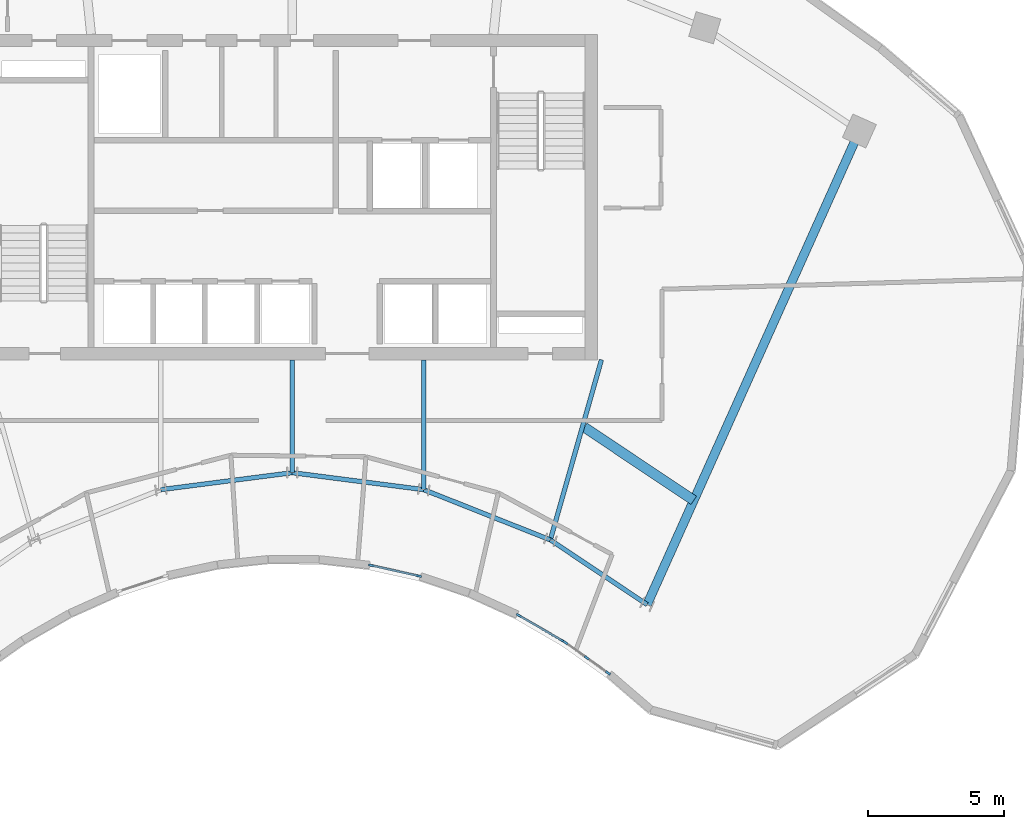
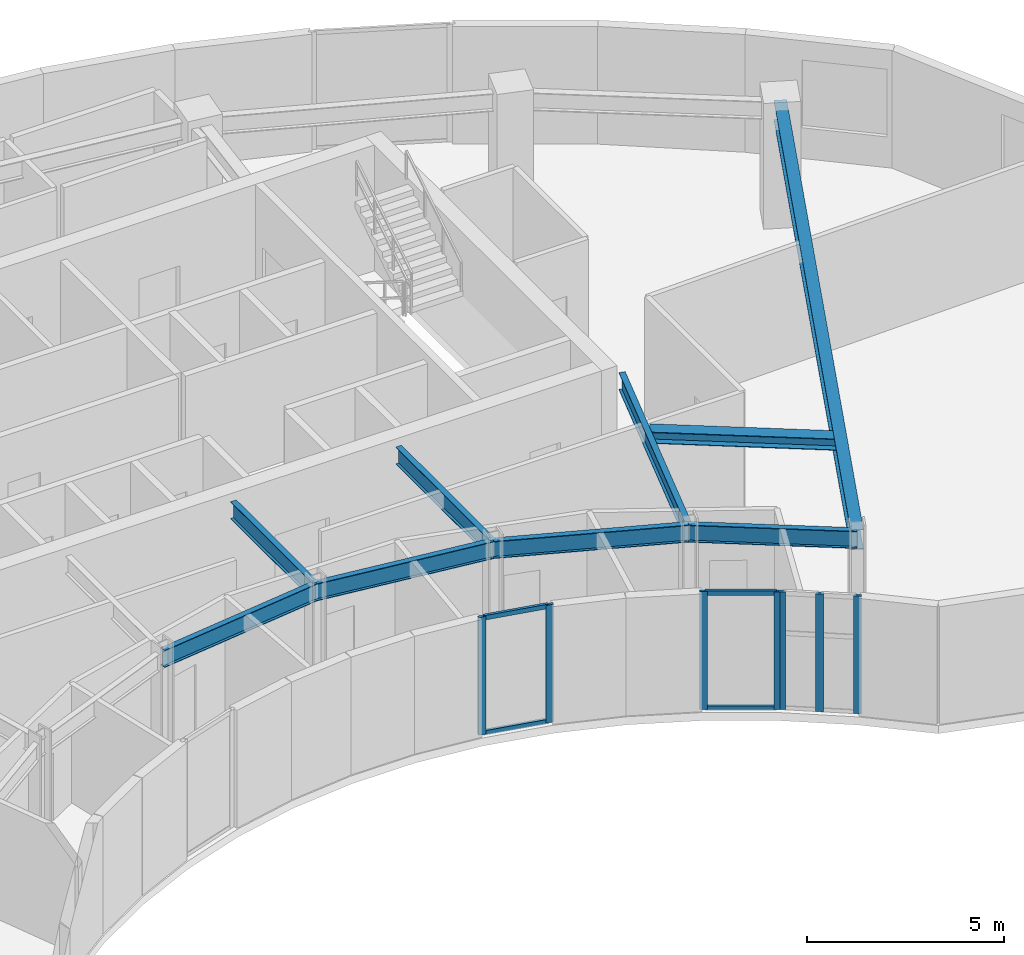
# One storey, part 3 of 12: 11 members, 9 beams, 3 elements without a shape of their own.
"""IFC4 building model written with IfcOpenShell, lengths in metres."""

from ifc_helpers import new_model, si_unit, direction, frame, origin, origin_2d, place, context, subcontext, project, spatial, rectangle, i_section, extrude, source, transform, mapped, material, layer, layer_set, material_profile, profile_set, type_object, type_shapes, element, aggregate, save


model = new_model("IFC4")

# Units and contexts
model_context = context("Model", 3, precision=1e-05, world=origin(), true_north=direction((0.0, 1.0)))
body_context = subcontext(model_context, "Body", "Model", "MODEL_VIEW")
ifc_project = project(units=[si_unit("LENGTHUNIT", "METRE"), si_unit("AREAUNIT", "SQUARE_METRE"), si_unit("VOLUMEUNIT", "CUBIC_METRE"), si_unit("PLANEANGLEUNIT", "RADIAN"), si_unit("MASSUNIT", "GRAM", prefix="KILO")], contexts=[model_context])

# Site, building, storey
site_placement = place(None, origin())
site = spatial("IfcSite", under=ifc_project, at=site_placement, CompositionType="ELEMENT")
building_placement = place(site_placement, origin())
building = spatial("IfcBuilding", under=site, at=building_placement, Name="Breltana Convention Tower", CompositionType="ELEMENT")
storey_placement = place(building_placement, frame((0.0, 0.0, 243.0)))
storey = spatial("IfcBuildingStorey", under=building, at=storey_placement, Name="L59", CompositionType="ELEMENT", Elevation=243.0)

# Beams
ifc_material_1 = material(Name="Steel ASTM A992 Grade 50", Category="steel")
ifc_material_profile_1 = material_profile(ifc_material_1, i_section(OverallWidth=0.166015625, OverallDepth=0.534912109375, WebThickness=0.01025390625, FlangeThickness=0.0166015625, at=origin_2d()), Name="W21X57")
ifc_profile_set_1 = profile_set([ifc_material_profile_1], Name="Steel ASTM A992 Grade 50")
beam_type_1 = type_object("IfcBeamType", Name="BM-BM-W21X57", PredefinedType="BEAM", material=ifc_profile_set_1)
shared_shape_1 = source(origin(), body_context, "Body", "SweptSolid", [
    extrude(i_section(OverallWidth=0.166015625, OverallDepth=0.534912109375, WebThickness=0.01025390625, FlangeThickness=0.0166015625, at=origin_2d()), origin(), (0.0, 0.0, 1.0), 6.904541015625),
])
type_shapes(beam_type_1, [shared_shape_1])
beam_1_placement = place(storey_placement, frame((59.39990234375, 60.199951171875, 3.382568359375), z_axis=(-0.273006781054, -0.962012108811, 0.0), x_axis=(0.962012108811, -0.273006781054, 0.0)))
element("IfcBeam", 1, at=beam_1_placement, inside=storey, type_object=beam_type_1, Name="L59 South Core Tie Girder R08", PredefinedType="BEAM", context=body_context, shape_type="MappedRepresentation", body=[
    mapped(shared_shape_1, transform((0.0, 0.0, 0.0), scale=1.0)),
])
shared_shape_2 = source(origin(), body_context, "Body", "SweptSolid", [
    extrude(i_section(OverallWidth=0.166015625, OverallDepth=0.534912109375, WebThickness=0.01025390625, FlangeThickness=0.0166015625, at=origin_2d()), origin(), (0.0, 0.0, 1.0), 4.789306640625),
])
beam_2_placement = place(storey_placement, frame((52.846435546875, 60.199951171875, 3.382568359375), z_axis=(0.0, -1.0, 0.0), x_axis=(1.0, 0.0, 0.0)))
element("IfcBeam", 2, at=beam_2_placement, inside=storey, type_object=beam_type_1, Name="L59 South Core Tie Girder R07", PredefinedType="BEAM", context=body_context, shape_type="MappedRepresentation", body=[
    mapped(shared_shape_2, transform((0.0, 0.0, 0.0), scale=1.0)),
])
shared_shape_3 = source(origin(), body_context, "Body", "SweptSolid", [
    extrude(i_section(OverallWidth=0.166015625, OverallDepth=0.534912109375, WebThickness=0.01025390625, FlangeThickness=0.0166015625, at=origin_2d()), origin(), (0.0, 0.0, 1.0), 4.1640625),
])
beam_3_placement = place(storey_placement, frame((48.0, 60.199951171875, 3.382568359375), z_axis=(0.0, -1.0, 0.0), x_axis=(1.0, 0.0, 0.0)))
element("IfcBeam", 3, at=beam_3_placement, inside=storey, type_object=beam_type_1, Name="L59 South Core Tie Girder R06", PredefinedType="BEAM", context=body_context, shape_type="MappedRepresentation", body=[
    mapped(shared_shape_3, transform((0.0, 0.0, 0.0), scale=1.0)),
])
shared_shape_4 = source(origin(), body_context, "Body", "SweptSolid", [
    extrude(i_section(OverallWidth=0.166015625, OverallDepth=0.534912109375, WebThickness=0.01025390625, FlangeThickness=0.0166015625, at=origin_2d()), origin(), (0.0, 0.0, 1.0), 5.022705078125),
])
beam_4_placement = place(storey_placement, frame((52.846435546875, 55.41064453125, 3.382568359375), z_axis=(0.929458966248, -0.368925507469, 0.0), x_axis=(0.368925507469, 0.929458966248, 0.0)))
element("IfcBeam", 4, at=beam_4_placement, inside=storey, type_object=beam_type_1, Name="L59 Inner Ring Beam 07", PredefinedType="BEAM", context=body_context, shape_type="MappedRepresentation", body=[
    mapped(shared_shape_4, transform((0.0, 0.0, 0.0), scale=1.0)),
])
shared_shape_5 = source(origin(), body_context, "Body", "SweptSolid", [
    extrude(i_section(OverallWidth=0.166015625, OverallDepth=0.534912109375, WebThickness=0.01025390625, FlangeThickness=0.0166015625, at=origin_2d()), origin(), (0.0, 0.0, 1.0), 4.88671875),
])
for number, where, z_axis, x_axis, name in (
    (5, (43.153564453125, 55.41064453125, 3.382568359375), (0.991780525565, 0.127950729231, 0.0), (-0.127950729231, 0.991780525565, 0.0), "L59 Inner Ring Beam 05"),
    (6, (48.0, 56.035888671875, 3.382568359375), (0.991780525565, -0.127950729231, 0.0), (0.127950729231, 0.991780525565, 0.0), "L59 Inner Ring Beam 06"),
):
    element("IfcBeam", number, at=place(storey_placement, frame(where, z_axis=z_axis, x_axis=x_axis)), inside=storey, type_object=beam_type_1, Name=name, PredefinedType="BEAM", context=body_context, shape_type="MappedRepresentation", body=[
        mapped(shared_shape_5, transform((0.0, 0.0, 0.0), scale=1.0)),
    ])
shared_shape_6 = source(origin(), body_context, "Body", "SweptSolid", [
    extrude(i_section(OverallWidth=0.166015625, OverallDepth=0.534912109375, WebThickness=0.01025390625, FlangeThickness=0.0166015625, at=origin_2d()), origin(), (0.0, 0.0, 1.0), 4.2900390625),
])
beam_5_placement = place(storey_placement, frame((57.514892578125, 53.5576171875, 3.382568359375), z_axis=(0.831515827753, -0.555501060482, 0.0), x_axis=(0.555501060482, 0.831515827753, 0.0)))
element("IfcBeam", 7, at=beam_5_placement, inside=storey, type_object=beam_type_1, Name="L59 Inner Ring Beam 08", PredefinedType="BEAM", context=body_context, shape_type="MappedRepresentation", body=[
    mapped(shared_shape_6, transform((0.0, 0.0, 0.0), scale=1.0)),
])
ifc_material_profile_2 = material_profile(ifc_material_1, i_section(OverallWidth=0.368896484375, OverallDepth=0.35595703125, WebThickness=0.01123046875, FlangeThickness=0.01806640625, at=origin_2d()), Name="W14X90")
ifc_profile_set_2 = profile_set([ifc_material_profile_2], Name="Steel ASTM A992 Grade 50")
beam_type_2 = type_object("IfcBeamType", Name="BM-JSG-09", PredefinedType="JOIST", material=ifc_profile_set_2)
shared_shape_7 = source(origin(), body_context, "Body", "SweptSolid", [
    extrude(i_section(OverallWidth=0.368896484375, OverallDepth=0.35595703125, WebThickness=0.01123046875, FlangeThickness=0.01806640625, at=origin_2d()), origin(), (0.0, 0.0, 1.0), 4.854736328125),
])
beam_6_placement = place(storey_placement, frame((58.767578125, 57.71240234375, 3.471923828125), z_axis=(0.831485074305, -0.555547091801, 0.0), x_axis=(0.555547091801, 0.831485074305, 0.0)))
element("IfcBeam", 8, at=beam_6_placement, inside=storey, type_object=beam_type_2, Name="L59 Composite Floor Joist 08.1", PredefinedType="JOIST", context=body_context, shape_type="MappedRepresentation", body=[
    mapped(shared_shape_7, transform((0.0, 0.0, 0.0), scale=1.0)),
])
ifc_material_profile_3 = material_profile(ifc_material_1, i_section(OverallWidth=0.326904296875, OverallDepth=0.6220703125, WebThickness=0.015380859375, FlangeThickness=0.0244140625, at=origin_2d()), Name="W24X131")
ifc_profile_set_3 = profile_set([ifc_material_profile_3], Name="Steel ASTM A992 Grade 50")
beam_type_3 = type_object("IfcBeamType", Name="BM-RG-W24X131", PredefinedType="USERDEFINED", material=ifc_profile_set_3)
shared_shape_8 = source(origin(), body_context, "Body", "SweptSolid", [
    extrude(i_section(OverallWidth=0.326904296875, OverallDepth=0.6220703125, WebThickness=0.015380859375, FlangeThickness=0.0244140625, at=origin_2d()), origin(), (0.0, 0.0, 1.0), 19.133544921875),
])
beam_7_placement = place(storey_placement, frame((61.08203125, 51.174560546875, 3.339111328125), z_axis=(0.409144564164, 0.912469575172, 0.0), x_axis=(-0.912469575172, 0.409144564164, 0.0)))
element("IfcBeam", 9, at=beam_7_placement, inside=storey, type_object=beam_type_3, Name="L59 Radial Floor Girder R09", ObjectType="GIRDER", PredefinedType="USERDEFINED", context=body_context, shape_type="MappedRepresentation", body=[
    mapped(shared_shape_8, transform((0.0, 0.0, 0.0), scale=1.0)),
])

# Curtain wall, members
ifc_material_2 = material(Name="Aluminium Anodised Bronze Frame", Category="aluminium")
ifc_layer = layer(ifc_material_2, 0.18994140625, Name="Aluminium Anodised Bronze Frame")
ifc_layer_set = layer_set([ifc_layer], Name="Aluminium Anodised Bronze Frame")
curtain_wall_type = type_object("IfcCurtainWallType", Name="CW-SYS-1", PredefinedType="NOTDEFINED", material=ifc_layer_set)
curtain_wall_1_placement = place(storey_placement, origin())
curtain_wall_1 = element("IfcCurtainWall", 10, at=curtain_wall_1_placement, inside=storey, type_object=curtain_wall_type, Name="L59 inner south-court glazing 1", PredefinedType="NOTDEFINED")
ifc_material_3 = material(Name="Aluminium Anodised Bronze", Category="aluminium")
ifc_material_profile_4 = material_profile(ifc_material_3, rectangle(XDim=0.080078125, YDim=0.199951171875, at=origin_2d()), Name="CWM-80X200")
ifc_profile_set_4 = profile_set([ifc_material_profile_4], Name="Aluminium Anodised Bronze")
member_type_1 = type_object("IfcMemberType", Name="CWM-200", PredefinedType="MULLION", material=ifc_profile_set_4)
shared_shape_9 = source(origin(), body_context, "Body", "SweptSolid", [
    extrude(rectangle(XDim=0.080078125, YDim=0.199951171875, at=origin_2d()), origin(), (0.0, 0.0, 1.0), 3.64990234375),
])
member_1_placement = place(storey_placement, frame((59.642822265625, 48.650390625, 0.0), z_axis=(0.0, 0.0, 1.0), x_axis=(-0.580679280365, -0.814132405297, 0.0)))
member_1 = element("IfcMember", 11, at=member_1_placement, type_object=member_type_1, Name="CW-01 mullion 1", PredefinedType="MULLION", context=body_context, shape_type="MappedRepresentation", body=[
    mapped(shared_shape_9, transform((0.0, 0.0, 0.0), scale=1.0)),
])
member_2_placement = place(storey_placement, frame((58.85546875, 49.2119140625, 0.0), z_axis=(0.0, 0.0, 1.0), x_axis=(-0.580679280365, -0.814132405297, 0.0)))
member_2 = element("IfcMember", 12, at=member_2_placement, type_object=member_type_1, Name="CW-01 mullion 2", PredefinedType="MULLION", context=body_context, shape_type="MappedRepresentation", body=[
    mapped(shared_shape_9, transform((0.0, 0.0, 0.0), scale=1.0)),
])
member_3_placement = place(storey_placement, frame((58.06787109375, 49.773681640625, 0.0), z_axis=(0.0, 0.0, 1.0), x_axis=(-0.580679280365, -0.814132405297, 0.0)))
member_3 = element("IfcMember", 13, at=member_3_placement, type_object=member_type_1, Name="CW-01 mullion 3", PredefinedType="MULLION", context=body_context, shape_type="MappedRepresentation", body=[
    mapped(shared_shape_9, transform((0.0, 0.0, 0.0), scale=1.0)),
])
aggregate(curtain_wall_1, [member_1, member_2, member_3])

curtain_wall_2_placement = place(storey_placement, origin())
curtain_wall_2 = element("IfcCurtainWall", 14, at=curtain_wall_2_placement, inside=storey, type_object=curtain_wall_type, Name="L59 inner south-court glazing 2", PredefinedType="NOTDEFINED")
member_4_placement = place(storey_placement, frame((57.986328125, 49.826171875, 0.0), z_axis=(0.0, 0.0, 1.0), x_axis=(-0.501190266215, -0.865337111796, 0.0)))
member_4 = element("IfcMember", 15, at=member_4_placement, type_object=member_type_1, Name="CW-01 mullion 1", PredefinedType="MULLION", context=body_context, shape_type="MappedRepresentation", body=[
    mapped(shared_shape_9, transform((0.0, 0.0, 0.0), scale=1.0)),
])
member_5_placement = place(storey_placement, frame((56.35009765625, 50.77392578125, 0.0), z_axis=(0.0, 0.0, 1.0), x_axis=(-0.501190266215, -0.865337111796, 0.0)))
member_5 = element("IfcMember", 16, at=member_5_placement, type_object=member_type_1, Name="CW-01 mullion 2", PredefinedType="MULLION", context=body_context, shape_type="MappedRepresentation", body=[
    mapped(shared_shape_9, transform((0.0, 0.0, 0.0), scale=1.0)),
])

curtain_wall_3_placement = place(storey_placement, origin())
curtain_wall_3 = element("IfcCurtainWall", 17, at=curtain_wall_3_placement, inside=storey, type_object=curtain_wall_type, Name="L59 inner south-court glazing 3", PredefinedType="NOTDEFINED")
member_6_placement = place(storey_placement, frame((52.66357421875, 52.227294921875, 0.0), z_axis=(0.0, 0.0, 1.0), x_axis=(-0.217127816671, -0.976143181725, 0.0)))
member_6 = element("IfcMember", 18, at=member_6_placement, type_object=member_type_1, Name="CW-01 mullion 1", PredefinedType="MULLION", context=body_context, shape_type="MappedRepresentation", body=[
    mapped(shared_shape_9, transform((0.0, 0.0, 0.0), scale=1.0)),
])
member_7_placement = place(storey_placement, frame((50.90869140625, 52.61767578125, 0.0), z_axis=(0.0, 0.0, 1.0), x_axis=(-0.217127816671, -0.976143181725, 0.0)))
member_7 = element("IfcMember", 19, at=member_7_placement, type_object=member_type_1, Name="CW-01 mullion 2", PredefinedType="MULLION", context=body_context, shape_type="MappedRepresentation", body=[
    mapped(shared_shape_9, transform((0.0, 0.0, 0.0), scale=1.0)),
])

# Member
ifc_material_profile_5 = material_profile(ifc_material_3, rectangle(XDim=0.080078125, YDim=0.139892578125, at=origin_2d()), Name="CWT-80X140")
ifc_profile_set_5 = profile_set([ifc_material_profile_5], Name="Aluminium Anodised Bronze")
member_type_2 = type_object("IfcMemberType", Name="CWT-140", PredefinedType="USERDEFINED", material=ifc_profile_set_5)
shared_shape_10 = source(origin(), body_context, "Body", "SweptSolid", [
    extrude(rectangle(XDim=0.080078125, YDim=0.139892578125, at=origin_2d()), origin(), (0.0, 0.0, 1.0), 1.810791015625),
])
member_8_placement = place(storey_placement, frame((57.95166015625, 49.84619140625, 0.0400390625), z_axis=(-0.865290871949, 0.501270093784, 0.0), x_axis=(-0.501270093784, -0.865290871949, 0.0)))
member_8 = element("IfcMember", 20, at=member_8_placement, type_object=member_type_2, Name="CW-01 transom 1.1", ObjectType="TRANSOM", PredefinedType="USERDEFINED", context=body_context, shape_type="MappedRepresentation", body=[
    mapped(shared_shape_10, transform((0.0, 0.0, 0.0), scale=1.0)),
])

member_9_placement = place(storey_placement, frame((57.95166015625, 49.84619140625, 3.610107421875), z_axis=(-0.865290871949, 0.501270093784, 0.0), x_axis=(-0.501270093784, -0.865290871949, 0.0)))
member_9 = element("IfcMember", 21, at=member_9_placement, type_object=member_type_2, Name="CW-01 transom 1.2", ObjectType="TRANSOM", PredefinedType="USERDEFINED", context=body_context, shape_type="MappedRepresentation", body=[
    mapped(shared_shape_10, transform((0.0, 0.0, 0.0), scale=1.0)),
])

aggregate(curtain_wall_2, [member_4, member_5, member_8, member_9])

shared_shape_11 = source(origin(), body_context, "Body", "SweptSolid", [
    extrude(rectangle(XDim=0.080078125, YDim=0.139892578125, at=origin_2d()), origin(), (0.0, 0.0, 1.0), 1.7177734375),
])
member_10_placement = place(storey_placement, frame((52.62451171875, 52.236083984375, 0.0400390625), z_axis=(-0.976133523564, 0.217171232383, 0.0), x_axis=(-0.217171232383, -0.976133523564, 0.0)))
member_10 = element("IfcMember", 22, at=member_10_placement, type_object=member_type_2, Name="CW-01 transom 1.1", ObjectType="TRANSOM", PredefinedType="USERDEFINED", context=body_context, shape_type="MappedRepresentation", body=[
    mapped(shared_shape_11, transform((0.0, 0.0, 0.0), scale=1.0)),
])

member_11_placement = place(storey_placement, frame((52.62451171875, 52.236083984375, 3.610107421875), z_axis=(-0.976133523564, 0.217171232383, 0.0), x_axis=(-0.217171232383, -0.976133523564, 0.0)))
member_11 = element("IfcMember", 23, at=member_11_placement, type_object=member_type_2, Name="CW-01 transom 1.2", ObjectType="TRANSOM", PredefinedType="USERDEFINED", context=body_context, shape_type="MappedRepresentation", body=[
    mapped(shared_shape_11, transform((0.0, 0.0, 0.0), scale=1.0)),
])

aggregate(curtain_wall_3, [member_6, member_7, member_10, member_11])

save(model, "model.ifc")
